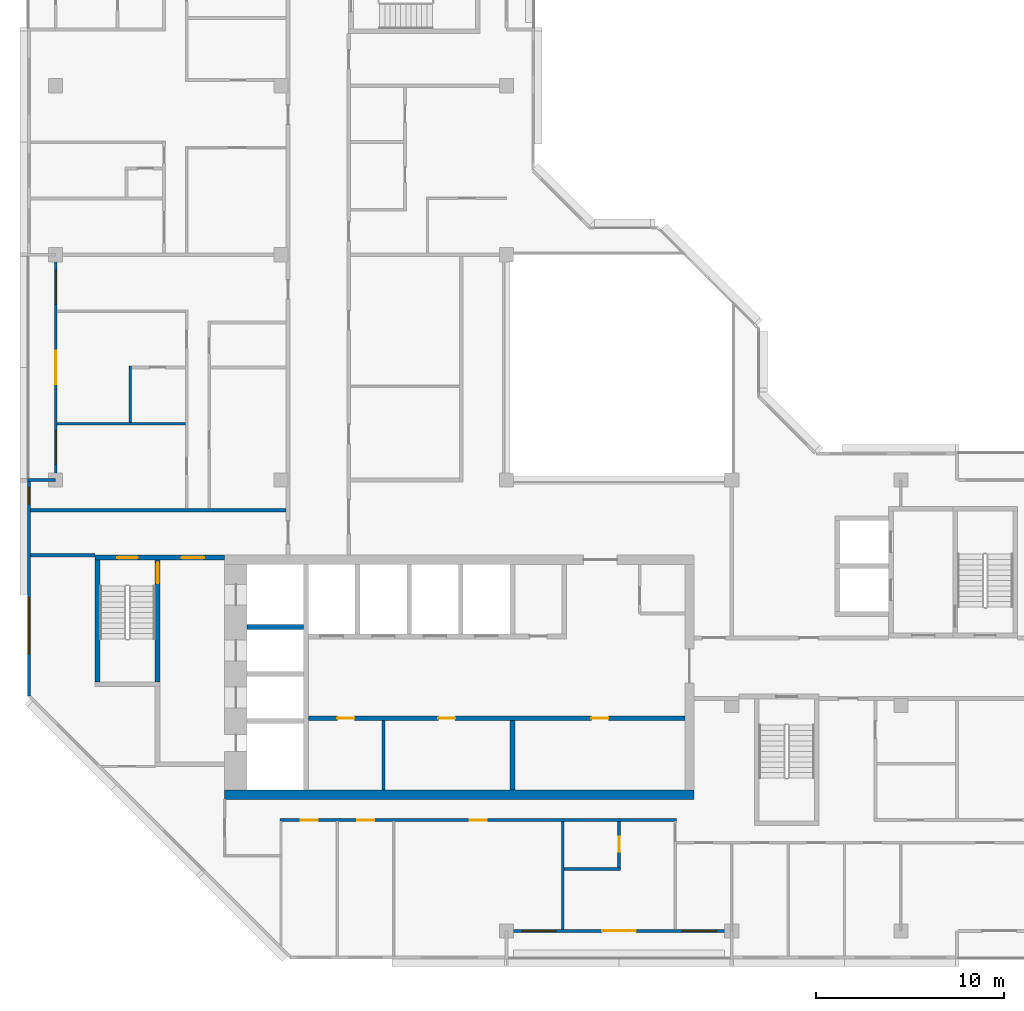
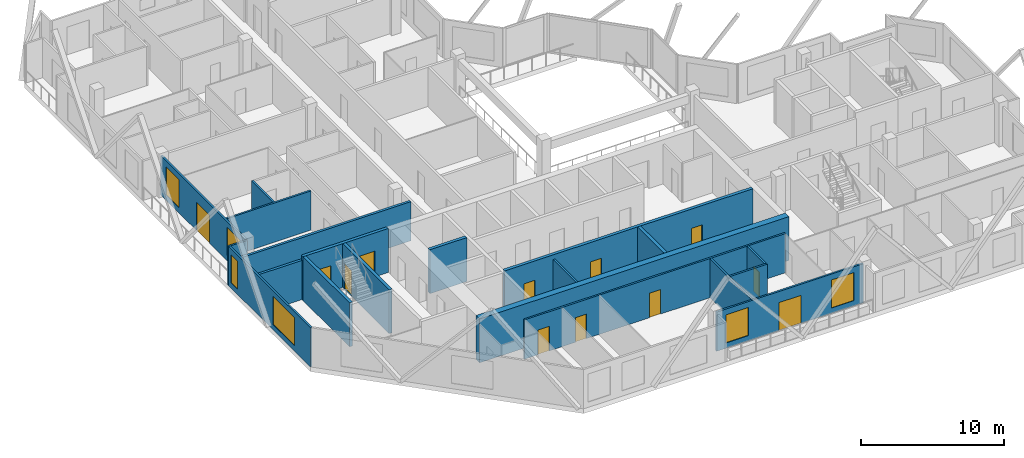
# One storey, part 4 of 12: 20 walls, 12 doors, 6 windows, 18 openings.
"""IFC4 building model written with IfcOpenShell, lengths in metres."""

from ifc_helpers import new_model, si_unit, direction, frame, frame_2d, origin, place, context, subcontext, project, spatial, rectangle, extrude, material, layer, layer_set, type_object, element, fill, save


model = new_model("IFC4")

# Units and contexts
model_context = context("Model", 3, precision=1e-05, world=origin(), true_north=direction((0.0, 1.0)))
body_context = subcontext(model_context, "Body", "Model", "MODEL_VIEW")
ifc_project = project(units=[si_unit("LENGTHUNIT", "METRE"), si_unit("AREAUNIT", "SQUARE_METRE"), si_unit("VOLUMEUNIT", "CUBIC_METRE"), si_unit("PLANEANGLEUNIT", "RADIAN"), si_unit("MASSUNIT", "GRAM", prefix="KILO")], contexts=[model_context])

# Site, building, storey
site_placement = place(None, origin())
site = spatial("IfcSite", under=ifc_project, at=site_placement, CompositionType="ELEMENT")
building_placement = place(site_placement, origin())
building = spatial("IfcBuilding", under=site, at=building_placement, Name="Chenar Terraces", CompositionType="ELEMENT")
storey_placement = place(building_placement, frame((0.0, 0.0, 353.89990234375)))
storey = spatial("IfcBuildingStorey", under=building, at=storey_placement, Name="L82", CompositionType="ELEMENT", Elevation=353.89990234375)

# Wall
ifc_material_1 = material(Name="Gypsum board on steel studs", Category="steel")
ifc_layer_1 = layer(ifc_material_1, 0.14990234375)
ifc_layer_set_1 = layer_set([ifc_layer_1], Name="Gypsum board on steel studs")
wall_type_1 = type_object("IfcWallType", Name="Core partition 150 gypsum board", PredefinedType="PARTITIONING", material=ifc_layer_set_1)
wall_1_placement = place(storey_placement, frame((17.449951171875, 7.5, 0.0), z_axis=(0.0, 0.0, 1.0), x_axis=(0.0, 1.0, 0.0)))
element("IfcWall", 1, at=wall_1_placement, inside=storey, type_object=wall_type_1, Name="Core partition CP1 freed bay wall", PredefinedType="PARTITIONING", context=body_context, shape_type="SweptSolid", body=[
    extrude(rectangle(XDim=3.699951171875, YDim=0.14990234375, at=frame_2d((1.85009765625, 0.0))), origin(), (0.0, 0.0, 1.0), 3.35009765625),
])

# Wall, openings, doors
ifc_material_2 = material(Name="Concrete C50/60", Category="concrete")
ifc_layer_2 = layer(ifc_material_2, 0.25)
ifc_layer_set_2 = layer_set([ifc_layer_2], Name="Concrete C50/60")
wall_type_2 = type_object("IfcWallType", Name="Core wall 250 Concrete C50/60", PredefinedType="SHEAR", material=ifc_layer_set_2)
wall_2_placement = place(storey_placement, frame((13.449951171875, 11.324951171875, 0.0), z_axis=(0.0, 0.0, 1.0), x_axis=(1.0, 0.0, 0.0)))
wall_2 = element("IfcWall", 2, at=wall_2_placement, inside=storey, type_object=wall_type_2, Name="Core wall SF L82", PredefinedType="SHEAR", context=body_context, shape_type="SweptSolid", body=[
    extrude(rectangle(XDim=20.050048828125, YDim=0.25, at=frame_2d((10.02490234375, 0.0))), origin(), (0.0, 0.0, 1.0), 3.75),
])
opening_1_placement = place(wall_2_placement, frame((1.550048828125, 0.0, 0.0)))
opening_1 = element("IfcOpeningElement", 3, at=opening_1_placement, cuts=wall_2, Name="Opening DL82-C12", PredefinedType="OPENING", context=body_context, shape_type="SweptSolid", body=[
    extrude(rectangle(XDim=0.89990234375, YDim=2.10009765625, at=frame_2d((0.449951171875, 1.050048828125))), frame((0.0, 0.135009765625, 0.0), z_axis=(0.0, -1.0, 0.0), x_axis=(1.0, 0.0, 0.0)), (0.0, 0.0, 1.0), 0.27001953125),
])
opening_2_placement = place(wall_2_placement, frame((6.925048828125, 0.0, 0.0)))
opening_2 = element("IfcOpeningElement", 4, at=opening_2_placement, cuts=wall_2, Name="Opening DL82-C13", PredefinedType="OPENING", context=body_context, shape_type="SweptSolid", body=[
    extrude(rectangle(XDim=0.89990234375, YDim=2.10009765625, at=frame_2d((0.449951171875, 1.050048828125))), frame((0.0, 0.135009765625, 0.0), z_axis=(0.0, -1.0, 0.0), x_axis=(1.0, 0.0, 0.0)), (0.0, 0.0, 1.0), 0.27001953125),
])
opening_3_placement = place(wall_2_placement, frame((15.074951171875, 0.0, 0.0)))
opening_3 = element("IfcOpeningElement", 5, at=opening_3_placement, cuts=wall_2, Name="Opening DL82-C14", PredefinedType="OPENING", context=body_context, shape_type="SweptSolid", body=[
    extrude(rectangle(XDim=0.89990234375, YDim=2.10009765625, at=frame_2d((0.449951171875, 1.050048828125))), frame((0.0, 0.135009765625, 0.0), z_axis=(0.0, -1.0, 0.0), x_axis=(1.0, 0.0, 0.0)), (0.0, 0.0, 1.0), 0.27001953125),
])
ifc_material_3 = material(Name="Steel-framed fire-resisting door leaf", Category="steel")
door_type_1 = type_object("IfcDoorType", Name="Riser fire door FD60 900 x 2100", OperationType="SINGLE_SWING_LEFT", PredefinedType="DOOR", material=ifc_material_3)
door_1_placement = place(opening_1_placement, frame((0.89990234375, 0.0, 0.0), z_axis=(0.0, 0.0, 1.0), x_axis=(-1.0, 0.0, 0.0)))
door_1 = element("IfcDoor", 6, at=door_1_placement, inside=storey, type_object=door_type_1, Name="Core room door DL82-C12", OperationType="SINGLE_SWING_LEFT", OverallHeight=2.10009765625, OverallWidth=0.89990234375, PredefinedType="DOOR", context=body_context, shape_type="SweptSolid", body=[
    extrude(rectangle(XDim=0.89990234375, YDim=2.10009765625, at=frame_2d((0.449951171875, 1.050048828125))), frame((0.0, 0.02490234375, 0.0), z_axis=(0.0, -1.0, 0.0), x_axis=(1.0, 0.0, 0.0)), (0.0, 0.0, 1.0), 0.050048828125),
])
fill(opening_1, door_1)
door_2_placement = place(opening_2_placement, frame((0.89990234375, 0.0, 0.0), z_axis=(0.0, 0.0, 1.0), x_axis=(-1.0, 0.0, 0.0)))
door_2 = element("IfcDoor", 7, at=door_2_placement, inside=storey, type_object=door_type_1, Name="Core room door DL82-C13", OperationType="SINGLE_SWING_RIGHT", OverallHeight=2.10009765625, OverallWidth=0.89990234375, PredefinedType="DOOR", context=body_context, shape_type="SweptSolid", body=[
    extrude(rectangle(XDim=0.89990234375, YDim=2.10009765625, at=frame_2d((0.449951171875, 1.050048828125))), frame((0.0, 0.02490234375, 0.0), z_axis=(0.0, -1.0, 0.0), x_axis=(1.0, 0.0, 0.0)), (0.0, 0.0, 1.0), 0.050048828125),
])
fill(opening_2, door_2)
door_3_placement = place(opening_3_placement, frame((0.89990234375, 0.0, 0.0), z_axis=(0.0, 0.0, 1.0), x_axis=(-1.0, 0.0, 0.0)))
door_3 = element("IfcDoor", 8, at=door_3_placement, inside=storey, type_object=door_type_1, Name="Core room door DL82-C14", OperationType="SINGLE_SWING_RIGHT", OverallHeight=2.10009765625, OverallWidth=0.89990234375, PredefinedType="DOOR", context=body_context, shape_type="SweptSolid", body=[
    extrude(rectangle(XDim=0.89990234375, YDim=2.10009765625, at=frame_2d((0.449951171875, 1.050048828125))), frame((0.0, 0.02490234375, 0.0), z_axis=(0.0, -1.0, 0.0), x_axis=(1.0, 0.0, 0.0)), (0.0, 0.0, 1.0), 0.050048828125),
])
fill(opening_3, door_3)

# Walls
wall_3_placement = place(storey_placement, frame((10.199951171875, 16.175048828125, 0.0), z_axis=(0.0, 0.0, 1.0), x_axis=(1.0, 0.0, 0.0)))
element("IfcWall", 9, at=wall_3_placement, inside=storey, type_object=wall_type_2, Name="Core wall HW2 L82", PredefinedType="SHEAR", context=body_context, shape_type="SweptSolid", body=[
    extrude(rectangle(XDim=3.0, YDim=0.25, at=frame_2d((1.5, 0.0))), origin(), (0.0, 0.0, 1.0), 3.75),
])
wall_4_placement = place(storey_placement, frame((24.324951171875, 7.5, 0.0), z_axis=(0.0, 0.0, 1.0), x_axis=(0.0, 1.0, 0.0)))
element("IfcWall", 10, at=wall_4_placement, inside=storey, type_object=wall_type_2, Name="Core wall SS3 L82", PredefinedType="SHEAR", context=body_context, shape_type="SweptSolid", body=[
    extrude(rectangle(XDim=3.699951171875, YDim=0.25, at=frame_2d((1.85009765625, 0.0))), origin(), (0.0, 0.0, 1.0), 3.75),
])

# Wall, openings, doors
wall_5_placement = place(storey_placement, frame((2.10009765625, 19.875, 0.0), z_axis=(0.0, 0.0, 1.0), x_axis=(1.0, 0.0, 0.0)))
wall_5 = element("IfcWall", 11, at=wall_5_placement, inside=storey, type_object=wall_type_2, Name="Core wall A_N L82", PredefinedType="SHEAR", context=body_context, shape_type="SweptSolid", body=[
    extrude(rectangle(XDim=6.89990234375, YDim=0.25, at=frame_2d((3.449951171875, 0.0))), origin(), (0.0, 0.0, 1.0), 3.75),
])
opening_4_placement = place(wall_5_placement, frame((1.175048828125, 0.0, 0.0)))
opening_4 = element("IfcOpeningElement", 12, at=opening_4_placement, cuts=wall_5, Name="Opening DL82-C5", PredefinedType="OPENING", context=body_context, shape_type="SweptSolid", body=[
    extrude(rectangle(XDim=1.10009765625, YDim=2.199951171875, at=frame_2d((0.550048828125, 1.10009765625))), frame((0.0, 0.135009765625, 0.0), z_axis=(0.0, -1.0, 0.0), x_axis=(1.0, 0.0, 0.0)), (0.0, 0.0, 1.0), 0.27001953125),
])
opening_5_placement = place(wall_5_placement, frame((4.60009765625, 0.0, 0.0)))
opening_5 = element("IfcOpeningElement", 13, at=opening_5_placement, cuts=wall_5, Name="Opening DL82-C6", PredefinedType="OPENING", context=body_context, shape_type="SweptSolid", body=[
    extrude(rectangle(XDim=1.199951171875, YDim=2.199951171875, at=frame_2d((0.60009765625, 1.10009765625))), frame((0.0, 0.135009765625, 0.0), z_axis=(0.0, -1.0, 0.0), x_axis=(1.0, 0.0, 0.0)), (0.0, 0.0, 1.0), 0.27001953125),
])
ifc_material_4 = material(Name="Steel-framed fire-resisting door leaf", Category="steel")
door_type_2 = type_object("IfcDoorType", Name="Lobby fire door FD60 1200 x 2200", OperationType="SINGLE_SWING_LEFT", PredefinedType="DOOR", material=ifc_material_4)
door_4_placement = place(opening_5_placement, frame((1.199951171875, 0.0, 0.0), z_axis=(0.0, 0.0, 1.0), x_axis=(-1.0, 0.0, 0.0)))
door_4 = element("IfcDoor", 14, at=door_4_placement, inside=storey, type_object=door_type_2, Name="Core door DL82-C6", OperationType="SINGLE_SWING_LEFT", OverallHeight=2.199951171875, OverallWidth=1.199951171875, PredefinedType="DOOR", context=body_context, shape_type="SweptSolid", body=[
    extrude(rectangle(XDim=1.199951171875, YDim=2.199951171875, at=frame_2d((0.60009765625, 1.10009765625))), frame((0.0, 0.02490234375, 0.0), z_axis=(0.0, -1.0, 0.0), x_axis=(1.0, 0.0, 0.0)), (0.0, 0.0, 1.0), 0.050048828125),
])
fill(opening_5, door_4)
ifc_material_5 = material(Name="Steel-framed fire-resisting door leaf", Category="steel")
door_type_3 = type_object("IfcDoorType", Name="Stair fire door FD60 1100 x 2200", OperationType="SINGLE_SWING_LEFT", PredefinedType="DOOR", material=ifc_material_5)
door_5_placement = place(opening_4_placement, origin())
door_5 = element("IfcDoor", 15, at=door_5_placement, inside=storey, type_object=door_type_3, Name="Stair door DL82-C5", OperationType="SINGLE_SWING_LEFT", OverallHeight=2.199951171875, OverallWidth=1.10009765625, PredefinedType="DOOR", context=body_context, shape_type="SweptSolid", body=[
    extrude(rectangle(XDim=1.10009765625, YDim=2.199951171875, at=frame_2d((0.550048828125, 1.10009765625))), frame((0.0, 0.02490234375, 0.0), z_axis=(0.0, -1.0, 0.0), x_axis=(1.0, 0.0, 0.0)), (0.0, 0.0, 1.0), 0.050048828125),
])
fill(opening_4, door_5)

# Wall
wall_6_placement = place(storey_placement, frame((2.22509765625, 13.25, 0.0), z_axis=(0.0, 0.0, 1.0), x_axis=(0.0, 1.0, 0.0)))
element("IfcWall", 16, at=wall_6_placement, inside=storey, type_object=wall_type_2, Name="Core wall ST1_W L82", PredefinedType="SHEAR", context=body_context, shape_type="SweptSolid", body=[
    extrude(rectangle(XDim=6.5, YDim=0.25, at=frame_2d((3.25, 0.0))), origin(), (0.0, 0.0, 1.0), 3.75),
])

# Wall, opening, door
wall_7_placement = place(storey_placement, frame((5.425048828125, 13.25, 0.0), z_axis=(0.0, 0.0, 1.0), x_axis=(0.0, 1.0, 0.0)))
wall_7 = element("IfcWall", 17, at=wall_7_placement, inside=storey, type_object=wall_type_2, Name="Core wall ST1_E L82", PredefinedType="SHEAR", context=body_context, shape_type="SweptSolid", body=[
    extrude(rectangle(XDim=6.5, YDim=0.25, at=frame_2d((3.25, 0.0))), origin(), (0.0, 0.0, 1.0), 3.75),
])
opening_6_placement = place(wall_7_placement, frame((5.25, 0.0, 0.0)))
opening_6 = element("IfcOpeningElement", 18, at=opening_6_placement, cuts=wall_7, Name="Opening DL82-C3", PredefinedType="OPENING", context=body_context, shape_type="SweptSolid", body=[
    extrude(rectangle(XDim=1.10009765625, YDim=2.199951171875, at=frame_2d((0.550048828125, 1.10009765625))), frame((0.0, 0.135009765625, 0.0), z_axis=(0.0, -1.0, 0.0), x_axis=(1.0, 0.0, 0.0)), (0.0, 0.0, 1.0), 0.27001953125),
])
door_6_placement = place(opening_6_placement, origin())
door_6 = element("IfcDoor", 19, at=door_6_placement, inside=storey, type_object=door_type_3, Name="Stair door DL82-C3", OperationType="SINGLE_SWING_RIGHT", OverallHeight=2.199951171875, OverallWidth=1.10009765625, PredefinedType="DOOR", context=body_context, shape_type="SweptSolid", body=[
    extrude(rectangle(XDim=1.10009765625, YDim=2.199951171875, at=frame_2d((0.550048828125, 1.10009765625))), frame((0.0, 0.02490234375, 0.0), z_axis=(0.0, -1.0, 0.0), x_axis=(1.0, 0.0, 0.0)), (0.0, 0.0, 1.0), 0.050048828125),
])
fill(opening_6, door_6)

# Walls
ifc_material_6 = material(Name="Concrete C50/60", Category="concrete")
ifc_layer_3 = layer(ifc_material_6, 0.5)
ifc_layer_set_3 = layer_set([ifc_layer_3], Name="Concrete C50/60")
wall_type_3 = type_object("IfcWallType", Name="Core wall 500 Concrete C50/60", PredefinedType="SHEAR", material=ifc_layer_set_3)
wall_8_placement = place(storey_placement, frame((9.0, 7.25, 0.0), z_axis=(0.0, 0.0, 1.0), x_axis=(1.0, 0.0, 0.0)))
element("IfcWall", 20, at=wall_8_placement, inside=storey, type_object=wall_type_3, Name="Core wall S L82", PredefinedType="SHEAR", context=body_context, shape_type="SweptSolid", body=[
    extrude(rectangle(XDim=25.0, YDim=0.5, at=frame_2d((12.5, 0.0))), origin(), (0.0, 0.0, 1.0), 3.75),
])
ifc_material_7 = material(Name="Gypsum board on steel studs with fire boards", Category="steel")
ifc_layer_4 = layer(ifc_material_7, 0.199951171875)
ifc_layer_set_4 = layer_set([ifc_layer_4], Name="Gypsum board on steel studs with fire boards")
wall_type_4 = type_object("IfcWallType", Name="Corridor wall 200", PredefinedType="PARTITIONING", material=ifc_layer_set_4)
wall_9_placement = place(storey_placement, frame((-1.35009765625, 20.0, 0.0), z_axis=(0.0, 0.0, 1.0), x_axis=(1.0, 0.0, 0.0)))
element("IfcWall", 21, at=wall_9_placement, inside=storey, type_object=wall_type_4, Name="Partition L82-002", PredefinedType="PARTITIONING", context=body_context, shape_type="SweptSolid", body=[
    extrude(rectangle(XDim=3.4501953125, YDim=0.199951171875, at=frame_2d((1.72509765625, 0.0))), origin(), (0.0, 0.0, 1.0), 3.35009765625),
])
wall_10_placement = place(storey_placement, frame((-1.35009765625, 22.39990234375, 0.0), z_axis=(0.0, 0.0, 1.0), x_axis=(1.0, 0.0, 0.0)))
element("IfcWall", 22, at=wall_10_placement, inside=storey, type_object=wall_type_4, Name="Partition L82-003", PredefinedType="PARTITIONING", context=body_context, shape_type="SweptSolid", body=[
    extrude(rectangle(XDim=13.625, YDim=0.199951171875, at=frame_2d((6.8125, 0.0))), origin(), (0.0, 0.0, 1.0), 3.35009765625),
])

# Wall, openings, windows
ifc_material_8 = material(Name="Aluminium framed glazing", Category="aluminium")
ifc_layer_5 = layer(ifc_material_8, 0.14990234375)
ifc_layer_set_5 = layer_set([ifc_layer_5], Name="Aluminium framed glazing")
wall_type_5 = type_object("IfcWallType", Name="Glazed flush facade wall 150", PredefinedType="SOLIDWALL", material=ifc_layer_set_5)
wall_11_placement = place(storey_placement, frame((-1.425048828125, 23.925048828125, 0.0), z_axis=(0.0, 0.0, 1.0), x_axis=(0.0, -1.0, 0.0)))
wall_11 = element("IfcWall", 23, at=wall_11_placement, inside=storey, type_object=wall_type_5, Name="Glazed flush facade wall", PredefinedType="SOLIDWALL", context=body_context, shape_type="SweptSolid", body=[
    extrude(rectangle(XDim=11.425048828125, YDim=0.14990234375, at=frame_2d((5.71240234375, 0.0))), origin(), (0.0, 0.0, 1.0), 3.35009765625),
])
opening_7_placement = place(wall_11_placement, frame((0.3125, 0.0, 0.449951171875)))
opening_7 = element("IfcOpeningElement", 24, at=opening_7_placement, cuts=wall_11, Name="Opening W90x240", PredefinedType="OPENING", context=body_context, shape_type="SweptSolid", body=[
    extrude(rectangle(XDim=0.89990234375, YDim=2.39990234375, at=frame_2d((0.449951171875, 1.199951171875))), frame((0.0, 0.0849609375, 0.0), z_axis=(0.0, -1.0, 0.0), x_axis=(1.0, 0.0, 0.0)), (0.0, 0.0, 1.0), 0.169921875),
])
opening_8_placement = place(wall_11_placement, frame((6.175048828125, 0.0, 0.449951171875)))
opening_8 = element("IfcOpeningElement", 25, at=opening_8_placement, cuts=wall_11, Name="Opening W300x240", PredefinedType="OPENING", context=body_context, shape_type="SweptSolid", body=[
    extrude(rectangle(XDim=3.0, YDim=2.39990234375, at=frame_2d((1.5, 1.199951171875))), frame((0.0, 0.0849609375, 0.0), z_axis=(0.0, -1.0, 0.0), x_axis=(1.0, 0.0, 0.0)), (0.0, 0.0, 1.0), 0.169921875),
])
ifc_material_9 = material(Name="Low emissivity double glazing, aluminium frame", Category="aluminium")
window_type_1 = type_object("IfcWindowType", Name="Fixed light 3000 x 2400", PartitioningType="SINGLE_PANEL", PredefinedType="WINDOW", material=ifc_material_9)
window_1_placement = place(opening_8_placement, origin())
window_1 = element("IfcWindow", 26, at=window_1_placement, inside=storey, type_object=window_type_1, Name="Window", OverallHeight=2.39990234375, OverallWidth=3.0, PartitioningType="SINGLE_PANEL", PredefinedType="WINDOW", context=body_context, shape_type="SweptSolid", body=[
    extrude(rectangle(XDim=3.0, YDim=2.39990234375, at=frame_2d((1.5, 1.199951171875))), frame((0.0, 0.030029296875, 0.0), z_axis=(0.0, -1.0, 0.0), x_axis=(1.0, 0.0, 0.0)), (0.0, 0.0, 1.0), 0.06005859375),
])
fill(opening_8, window_1)
ifc_material_10 = material(Name="Low emissivity double glazing, aluminium frame", Category="aluminium")
window_type_2 = type_object("IfcWindowType", Name="Fixed light 900 x 2400", PartitioningType="SINGLE_PANEL", PredefinedType="WINDOW", material=ifc_material_10)
window_2_placement = place(opening_7_placement, origin())
window_2 = element("IfcWindow", 27, at=window_2_placement, inside=storey, type_object=window_type_2, Name="Window", OverallHeight=2.39990234375, OverallWidth=0.89990234375, PartitioningType="SINGLE_PANEL", PredefinedType="WINDOW", context=body_context, shape_type="SweptSolid", body=[
    extrude(rectangle(XDim=0.89990234375, YDim=2.39990234375, at=frame_2d((0.449951171875, 1.199951171875))), frame((0.0, 0.030029296875, 0.0), z_axis=(0.0, -1.0, 0.0), x_axis=(1.0, 0.0, 0.0)), (0.0, 0.0, 1.0), 0.06005859375),
])
fill(opening_7, window_2)

# Wall, openings, windows, door
ifc_material_11 = material(Name="Aluminium framed glazing", Category="aluminium")
ifc_layer_6 = layer(ifc_material_11, 0.14990234375)
ifc_layer_set_6 = layer_set([ifc_layer_6], Name="Aluminium framed glazing")
wall_type_6 = type_object("IfcWallType", Name="Glazed loggia back wall 150", PredefinedType="SOLIDWALL", material=ifc_layer_set_6)
wall_12_placement = place(storey_placement, frame((0.0, 35.925048828125, 0.0), z_axis=(0.0, 0.0, 1.0), x_axis=(0.0, -1.0, 0.0)))
wall_12 = element("IfcWall", 28, at=wall_12_placement, inside=storey, type_object=wall_type_6, Name="Glazed loggia back wall", PredefinedType="SOLIDWALL", context=body_context, shape_type="SweptSolid", body=[
    extrude(rectangle(XDim=11.85009765625, YDim=0.14990234375, at=frame_2d((5.925048828125, 0.0))), origin(), (0.0, 0.0, 1.0), 3.35009765625),
])
opening_9_placement = place(wall_12_placement, frame((0.762451171875, 0.0, 0.449951171875)))
opening_9 = element("IfcOpeningElement", 29, at=opening_9_placement, cuts=wall_12, Name="Opening W180x240", PredefinedType="OPENING", context=body_context, shape_type="SweptSolid", body=[
    extrude(rectangle(XDim=1.800048828125, YDim=2.39990234375, at=frame_2d((0.89990234375, 1.199951171875))), frame((0.0, 0.0849609375, 0.0), z_axis=(0.0, -1.0, 0.0), x_axis=(1.0, 0.0, 0.0)), (0.0, 0.0, 1.0), 0.169921875),
])
opening_10_placement = place(wall_12_placement, frame((5.02490234375, 0.0, 0.0)))
opening_10 = element("IfcOpeningElement", 30, at=opening_10_placement, cuts=wall_12, Name="Opening DL82-G3", PredefinedType="OPENING", context=body_context, shape_type="SweptSolid", body=[
    extrude(rectangle(XDim=1.800048828125, YDim=2.39990234375, at=frame_2d((0.89990234375, 1.199951171875))), frame((0.0, 0.0849609375, 0.0), z_axis=(0.0, -1.0, 0.0), x_axis=(1.0, 0.0, 0.0)), (0.0, 0.0, 1.0), 0.169921875),
])
opening_11_placement = place(wall_12_placement, frame((9.28759765625, 0.0, 0.449951171875)))
opening_11 = element("IfcOpeningElement", 31, at=opening_11_placement, cuts=wall_12, Name="Opening W180x240", PredefinedType="OPENING", context=body_context, shape_type="SweptSolid", body=[
    extrude(rectangle(XDim=1.800048828125, YDim=2.39990234375, at=frame_2d((0.89990234375, 1.199951171875))), frame((0.0, 0.0849609375, 0.0), z_axis=(0.0, -1.0, 0.0), x_axis=(1.0, 0.0, 0.0)), (0.0, 0.0, 1.0), 0.169921875),
])
ifc_material_12 = material(Name="Low emissivity double glazing, aluminium frame", Category="aluminium")
window_type_3 = type_object("IfcWindowType", Name="Fixed light 1800 x 2400", PartitioningType="SINGLE_PANEL", PredefinedType="WINDOW", material=ifc_material_12)
window_3_placement = place(opening_9_placement, origin())
window_3 = element("IfcWindow", 32, at=window_3_placement, inside=storey, type_object=window_type_3, Name="Window", OverallHeight=2.39990234375, OverallWidth=1.800048828125, PartitioningType="SINGLE_PANEL", PredefinedType="WINDOW", context=body_context, shape_type="SweptSolid", body=[
    extrude(rectangle(XDim=1.800048828125, YDim=2.39990234375, at=frame_2d((0.89990234375, 1.199951171875))), frame((0.0, 0.030029296875, 0.0), z_axis=(0.0, -1.0, 0.0), x_axis=(1.0, 0.0, 0.0)), (0.0, 0.0, 1.0), 0.06005859375),
])
fill(opening_9, window_3)
window_4_placement = place(opening_11_placement, origin())
window_4 = element("IfcWindow", 33, at=window_4_placement, inside=storey, type_object=window_type_3, Name="Window", OverallHeight=2.39990234375, OverallWidth=1.800048828125, PartitioningType="SINGLE_PANEL", PredefinedType="WINDOW", context=body_context, shape_type="SweptSolid", body=[
    extrude(rectangle(XDim=1.800048828125, YDim=2.39990234375, at=frame_2d((0.89990234375, 1.199951171875))), frame((0.0, 0.030029296875, 0.0), z_axis=(0.0, -1.0, 0.0), x_axis=(1.0, 0.0, 0.0)), (0.0, 0.0, 1.0), 0.06005859375),
])
fill(opening_11, window_4)
ifc_material_13 = material(Name="Low emissivity double glazing, aluminium frame", Category="aluminium")
door_type_4 = type_object("IfcDoorType", Name="Loggia glazed double door 1800 x 2400", OperationType="DOUBLE_DOOR_SINGLE_SWING", PredefinedType="DOOR", material=ifc_material_13)
door_7_placement = place(opening_10_placement, frame((1.800048828125, 0.0, 0.0), z_axis=(0.0, 0.0, 1.0), x_axis=(-1.0, 0.0, 0.0)))
door_7 = element("IfcDoor", 34, at=door_7_placement, inside=storey, type_object=door_type_4, Name="Loggia glazed door", OperationType="DOUBLE_DOOR_SINGLE_SWING", OverallHeight=2.39990234375, OverallWidth=1.800048828125, PredefinedType="DOOR", context=body_context, shape_type="SweptSolid", body=[
    extrude(rectangle(XDim=1.800048828125, YDim=2.39990234375, at=frame_2d((0.89990234375, 1.199951171875))), frame((0.0, 0.02490234375, 0.0), z_axis=(0.0, -1.0, 0.0), x_axis=(1.0, 0.0, 0.0)), (0.0, 0.0, 1.0), 0.050048828125),
])
fill(opening_10, door_7)

wall_13_placement = place(storey_placement, frame((24.074951171875, 0.0, 0.0), z_axis=(0.0, 0.0, 1.0), x_axis=(1.0, 0.0, 0.0)))
wall_13 = element("IfcWall", 35, at=wall_13_placement, inside=storey, type_object=wall_type_6, Name="Glazed loggia back wall", PredefinedType="SOLIDWALL", context=body_context, shape_type="SweptSolid", body=[
    extrude(rectangle(XDim=11.85009765625, YDim=0.14990234375, at=frame_2d((5.925048828125, 0.0))), origin(), (0.0, 0.0, 1.0), 3.35009765625),
])
opening_12_placement = place(wall_13_placement, frame((0.762451171875, 0.0, 0.449951171875)))
opening_12 = element("IfcOpeningElement", 36, at=opening_12_placement, cuts=wall_13, Name="Opening W180x240", PredefinedType="OPENING", context=body_context, shape_type="SweptSolid", body=[
    extrude(rectangle(XDim=1.800048828125, YDim=2.39990234375, at=frame_2d((0.89990234375, 1.199951171875))), frame((0.0, 0.0849609375, 0.0), z_axis=(0.0, -1.0, 0.0), x_axis=(1.0, 0.0, 0.0)), (0.0, 0.0, 1.0), 0.169921875),
])
opening_13_placement = place(wall_13_placement, frame((5.02490234375, 0.0, 0.0)))
opening_13 = element("IfcOpeningElement", 37, at=opening_13_placement, cuts=wall_13, Name="Opening DL82-G4", PredefinedType="OPENING", context=body_context, shape_type="SweptSolid", body=[
    extrude(rectangle(XDim=1.800048828125, YDim=2.39990234375, at=frame_2d((0.89990234375, 1.199951171875))), frame((0.0, 0.0849609375, 0.0), z_axis=(0.0, -1.0, 0.0), x_axis=(1.0, 0.0, 0.0)), (0.0, 0.0, 1.0), 0.169921875),
])
opening_14_placement = place(wall_13_placement, frame((9.28759765625, 0.0, 0.449951171875)))
opening_14 = element("IfcOpeningElement", 38, at=opening_14_placement, cuts=wall_13, Name="Opening W180x240", PredefinedType="OPENING", context=body_context, shape_type="SweptSolid", body=[
    extrude(rectangle(XDim=1.800048828125, YDim=2.39990234375, at=frame_2d((0.89990234375, 1.199951171875))), frame((0.0, 0.0849609375, 0.0), z_axis=(0.0, -1.0, 0.0), x_axis=(1.0, 0.0, 0.0)), (0.0, 0.0, 1.0), 0.169921875),
])
window_5_placement = place(opening_12_placement, origin())
window_5 = element("IfcWindow", 39, at=window_5_placement, inside=storey, type_object=window_type_3, Name="Window", OverallHeight=2.39990234375, OverallWidth=1.800048828125, PartitioningType="SINGLE_PANEL", PredefinedType="WINDOW", context=body_context, shape_type="SweptSolid", body=[
    extrude(rectangle(XDim=1.800048828125, YDim=2.39990234375, at=frame_2d((0.89990234375, 1.199951171875))), frame((0.0, 0.030029296875, 0.0), z_axis=(0.0, -1.0, 0.0), x_axis=(1.0, 0.0, 0.0)), (0.0, 0.0, 1.0), 0.06005859375),
])
fill(opening_12, window_5)
window_6_placement = place(opening_14_placement, origin())
window_6 = element("IfcWindow", 40, at=window_6_placement, inside=storey, type_object=window_type_3, Name="Window", OverallHeight=2.39990234375, OverallWidth=1.800048828125, PartitioningType="SINGLE_PANEL", PredefinedType="WINDOW", context=body_context, shape_type="SweptSolid", body=[
    extrude(rectangle(XDim=1.800048828125, YDim=2.39990234375, at=frame_2d((0.89990234375, 1.199951171875))), frame((0.0, 0.030029296875, 0.0), z_axis=(0.0, -1.0, 0.0), x_axis=(1.0, 0.0, 0.0)), (0.0, 0.0, 1.0), 0.06005859375),
])
fill(opening_14, window_6)
door_8_placement = place(opening_13_placement, frame((1.800048828125, 0.0, 0.0), z_axis=(0.0, 0.0, 1.0), x_axis=(-1.0, 0.0, 0.0)))
door_8 = element("IfcDoor", 41, at=door_8_placement, inside=storey, type_object=door_type_4, Name="Loggia glazed door", OperationType="DOUBLE_DOOR_SINGLE_SWING", OverallHeight=2.39990234375, OverallWidth=1.800048828125, PredefinedType="DOOR", context=body_context, shape_type="SweptSolid", body=[
    extrude(rectangle(XDim=1.800048828125, YDim=2.39990234375, at=frame_2d((0.89990234375, 1.199951171875))), frame((0.0, 0.02490234375, 0.0), z_axis=(0.0, -1.0, 0.0), x_axis=(1.0, 0.0, 0.0)), (0.0, 0.0, 1.0), 0.050048828125),
])
fill(opening_13, door_8)

# Walls
ifc_material_14 = material(Name="Terracotta cladding on insulated backing", Category="masonry")
ifc_layer_7 = layer(ifc_material_14, 0.14990234375)
ifc_layer_set_7 = layer_set([ifc_layer_7], Name="Terracotta cladding on insulated backing")
wall_type_7 = type_object("IfcWallType", Name="Loggia return wall 150", PredefinedType="SOLIDWALL", material=ifc_layer_set_7)
wall_14_placement = place(storey_placement, frame((-1.5, 24.0, 0.0), z_axis=(0.0, 0.0, 1.0), x_axis=(1.0, 0.0, 0.0)))
element("IfcWall", 42, at=wall_14_placement, inside=storey, type_object=wall_type_7, Name="Loggia return wall", PredefinedType="SOLIDWALL", context=body_context, shape_type="SweptSolid", body=[
    extrude(rectangle(XDim=1.5, YDim=0.14990234375, at=frame_2d((0.75, 0.0))), origin(), (0.0, 0.0, 1.0), 3.35009765625),
])
ifc_material_15 = material(Name="Moisture-resistant gypsum board on steel studs", Category="steel")
ifc_layer_8 = layer(ifc_material_15, 0.14990234375)
ifc_layer_set_8 = layer_set([ifc_layer_8], Name="Moisture-resistant gypsum board on steel studs")
wall_type_8 = type_object("IfcWallType", Name="Wet-room partition 150", PredefinedType="PARTITIONING", material=ifc_layer_set_8)
wall_15_placement = place(storey_placement, frame((0.073974609375, 27.0, 0.0), z_axis=(0.0, 0.0, 1.0), x_axis=(1.0, 0.0, 0.0)))
element("IfcWall", 43, at=wall_15_placement, inside=storey, type_object=wall_type_8, Name="Partition L82-007", PredefinedType="PARTITIONING", context=body_context, shape_type="SweptSolid", body=[
    extrude(rectangle(XDim=6.825927734375, YDim=0.14990234375, at=frame_2d((3.4130859375, 0.0))), origin(), (0.0, 0.0, 1.0), 3.35009765625),
])
wall_16_placement = place(storey_placement, frame((3.97509765625, 27.074951171875, 0.0), z_axis=(0.0, 0.0, 1.0), x_axis=(0.0, 1.0, 0.0)))
element("IfcWall", 44, at=wall_16_placement, inside=storey, type_object=wall_type_8, Name="Partition L82-014", PredefinedType="PARTITIONING", context=body_context, shape_type="SweptSolid", body=[
    extrude(rectangle(XDim=3.0, YDim=0.14990234375, at=frame_2d((1.5, 0.0))), origin(), (0.0, 0.0, 1.0), 3.35009765625),
])

# Wall, openings, doors
wall_17_placement = place(storey_placement, frame((11.949951171875, 5.89990234375, 0.0), z_axis=(0.0, 0.0, 1.0), x_axis=(1.0, 0.0, 0.0)))
wall_17 = element("IfcWall", 45, at=wall_17_placement, inside=storey, type_object=wall_type_8, Name="Partition L82-030", PredefinedType="PARTITIONING", context=body_context, shape_type="SweptSolid", body=[
    extrude(rectangle(XDim=21.10009765625, YDim=0.14990234375, at=frame_2d((10.550048828125, 0.0))), origin(), (0.0, 0.0, 1.0), 3.35009765625),
])
opening_15_placement = place(wall_17_placement, frame((1.10009765625, 0.0, 0.0)))
opening_15 = element("IfcOpeningElement", 46, at=opening_15_placement, cuts=wall_17, Name="Opening DL82-24", PredefinedType="OPENING", context=body_context, shape_type="SweptSolid", body=[
    extrude(rectangle(XDim=0.89990234375, YDim=2.10009765625, at=frame_2d((0.449951171875, 1.050048828125))), frame((0.0, 0.0849609375, 0.0), z_axis=(0.0, -1.0, 0.0), x_axis=(1.0, 0.0, 0.0)), (0.0, 0.0, 1.0), 0.169921875),
])
opening_16_placement = place(wall_17_placement, frame((4.10009765625, 0.0, 0.0)))
opening_16 = element("IfcOpeningElement", 47, at=opening_16_placement, cuts=wall_17, Name="Opening DL82-25", PredefinedType="OPENING", context=body_context, shape_type="SweptSolid", body=[
    extrude(rectangle(XDim=0.89990234375, YDim=2.10009765625, at=frame_2d((0.449951171875, 1.050048828125))), frame((0.0, 0.0849609375, 0.0), z_axis=(0.0, -1.0, 0.0), x_axis=(1.0, 0.0, 0.0)), (0.0, 0.0, 1.0), 0.169921875),
])
opening_17_placement = place(wall_17_placement, frame((10.10009765625, 0.0, 0.0)))
opening_17 = element("IfcOpeningElement", 48, at=opening_17_placement, cuts=wall_17, Name="Opening DL82-37", PredefinedType="OPENING", context=body_context, shape_type="SweptSolid", body=[
    extrude(rectangle(XDim=0.89990234375, YDim=2.10009765625, at=frame_2d((0.449951171875, 1.050048828125))), frame((0.0, 0.0849609375, 0.0), z_axis=(0.0, -1.0, 0.0), x_axis=(1.0, 0.0, 0.0)), (0.0, 0.0, 1.0), 0.169921875),
])
ifc_material_16 = material(Name="Veneered timber door leaf", Category="wood")
door_type_5 = type_object("IfcDoorType", Name="Door 900 x 2100", OperationType="SINGLE_SWING_LEFT", PredefinedType="DOOR", material=ifc_material_16)
door_9_placement = place(opening_15_placement, frame((0.89990234375, 0.0, 0.0), z_axis=(0.0, 0.0, 1.0), x_axis=(-1.0, 0.0, 0.0)))
door_9 = element("IfcDoor", 49, at=door_9_placement, inside=storey, type_object=door_type_5, Name="Door DL82-24", OperationType="SINGLE_SWING_RIGHT", OverallHeight=2.10009765625, OverallWidth=0.89990234375, PredefinedType="DOOR", context=body_context, shape_type="SweptSolid", body=[
    extrude(rectangle(XDim=0.89990234375, YDim=2.10009765625, at=frame_2d((0.449951171875, 1.050048828125))), frame((0.0, 0.02490234375, 0.0), z_axis=(0.0, -1.0, 0.0), x_axis=(1.0, 0.0, 0.0)), (0.0, 0.0, 1.0), 0.050048828125),
])
fill(opening_15, door_9)
door_10_placement = place(opening_16_placement, frame((0.89990234375, 0.0, 0.0), z_axis=(0.0, 0.0, 1.0), x_axis=(-1.0, 0.0, 0.0)))
door_10 = element("IfcDoor", 50, at=door_10_placement, inside=storey, type_object=door_type_5, Name="Door DL82-25", OperationType="SINGLE_SWING_RIGHT", OverallHeight=2.10009765625, OverallWidth=0.89990234375, PredefinedType="DOOR", context=body_context, shape_type="SweptSolid", body=[
    extrude(rectangle(XDim=0.89990234375, YDim=2.10009765625, at=frame_2d((0.449951171875, 1.050048828125))), frame((0.0, 0.02490234375, 0.0), z_axis=(0.0, -1.0, 0.0), x_axis=(1.0, 0.0, 0.0)), (0.0, 0.0, 1.0), 0.050048828125),
])
fill(opening_16, door_10)
door_11_placement = place(opening_17_placement, frame((0.89990234375, 0.0, 0.0), z_axis=(0.0, 0.0, 1.0), x_axis=(-1.0, 0.0, 0.0)))
door_11 = element("IfcDoor", 51, at=door_11_placement, inside=storey, type_object=door_type_5, Name="Door DL82-37", OperationType="SINGLE_SWING_RIGHT", OverallHeight=2.10009765625, OverallWidth=0.89990234375, PredefinedType="DOOR", context=body_context, shape_type="SweptSolid", body=[
    extrude(rectangle(XDim=0.89990234375, YDim=2.10009765625, at=frame_2d((0.449951171875, 1.050048828125))), frame((0.0, 0.02490234375, 0.0), z_axis=(0.0, -1.0, 0.0), x_axis=(1.0, 0.0, 0.0)), (0.0, 0.0, 1.0), 0.050048828125),
])
fill(opening_17, door_11)

# Walls
wall_18_placement = place(storey_placement, frame((27.0, 0.073974609375, 0.0), z_axis=(0.0, 0.0, 1.0), x_axis=(0.0, 1.0, 0.0)))
element("IfcWall", 52, at=wall_18_placement, inside=storey, type_object=wall_type_8, Name="Partition L82-047", PredefinedType="PARTITIONING", context=body_context, shape_type="SweptSolid", body=[
    extrude(rectangle(XDim=5.7509765625, YDim=0.14990234375, at=frame_2d((2.87548828125, 0.0))), origin(), (0.0, 0.0, 1.0), 3.35009765625),
])
wall_19_placement = place(storey_placement, frame((27.074951171875, 3.300048828125, 0.0), z_axis=(0.0, 0.0, 1.0), x_axis=(1.0, 0.0, 0.0)))
element("IfcWall", 53, at=wall_19_placement, inside=storey, type_object=wall_type_8, Name="Partition L82-048", PredefinedType="PARTITIONING", context=body_context, shape_type="SweptSolid", body=[
    extrude(rectangle(XDim=3.0, YDim=0.14990234375, at=frame_2d((1.5, 0.0))), origin(), (0.0, 0.0, 1.0), 3.35009765625),
])

# Wall, opening, door
wall_20_placement = place(storey_placement, frame((30.0, 3.375, 0.0), z_axis=(0.0, 0.0, 1.0), x_axis=(0.0, 1.0, 0.0)))
wall_20 = element("IfcWall", 54, at=wall_20_placement, inside=storey, type_object=wall_type_8, Name="Partition L82-049", PredefinedType="PARTITIONING", context=body_context, shape_type="SweptSolid", body=[
    extrude(rectangle(XDim=2.449951171875, YDim=0.14990234375, at=frame_2d((1.22509765625, 0.0))), origin(), (0.0, 0.0, 1.0), 3.35009765625),
])
opening_18_placement = place(wall_20_placement, frame((0.824951171875, 0.0, 0.0)))
opening_18 = element("IfcOpeningElement", 55, at=opening_18_placement, cuts=wall_20, Name="Opening DL82-34", PredefinedType="OPENING", context=body_context, shape_type="SweptSolid", body=[
    extrude(rectangle(XDim=0.800048828125, YDim=2.10009765625, at=frame_2d((0.39990234375, 1.050048828125))), frame((0.0, 0.0849609375, 0.0), z_axis=(0.0, -1.0, 0.0), x_axis=(1.0, 0.0, 0.0)), (0.0, 0.0, 1.0), 0.169921875),
])
ifc_material_17 = material(Name="Veneered timber door leaf", Category="wood")
door_type_6 = type_object("IfcDoorType", Name="Door 800 x 2100", OperationType="SINGLE_SWING_LEFT", PredefinedType="DOOR", material=ifc_material_17)
door_12_placement = place(opening_18_placement, origin())
door_12 = element("IfcDoor", 56, at=door_12_placement, inside=storey, type_object=door_type_6, Name="Door DL82-34", OperationType="SINGLE_SWING_RIGHT", OverallHeight=2.10009765625, OverallWidth=0.800048828125, PredefinedType="DOOR", context=body_context, shape_type="SweptSolid", body=[
    extrude(rectangle(XDim=0.800048828125, YDim=2.10009765625, at=frame_2d((0.39990234375, 1.050048828125))), frame((0.0, 0.02490234375, 0.0), z_axis=(0.0, -1.0, 0.0), x_axis=(1.0, 0.0, 0.0)), (0.0, 0.0, 1.0), 0.050048828125),
])
fill(opening_18, door_12)

save(model, "model.ifc")
